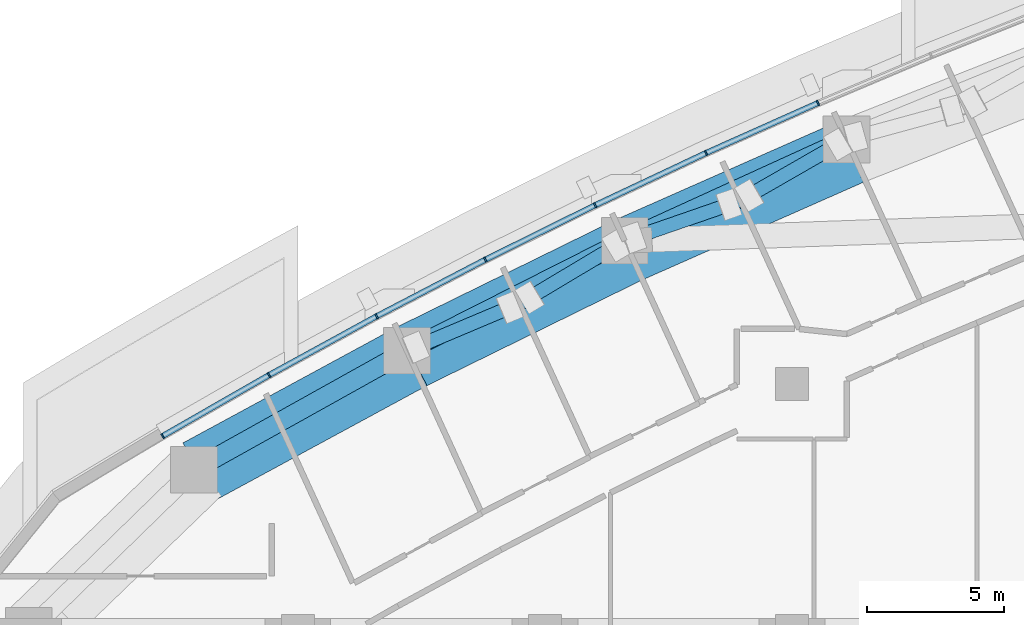
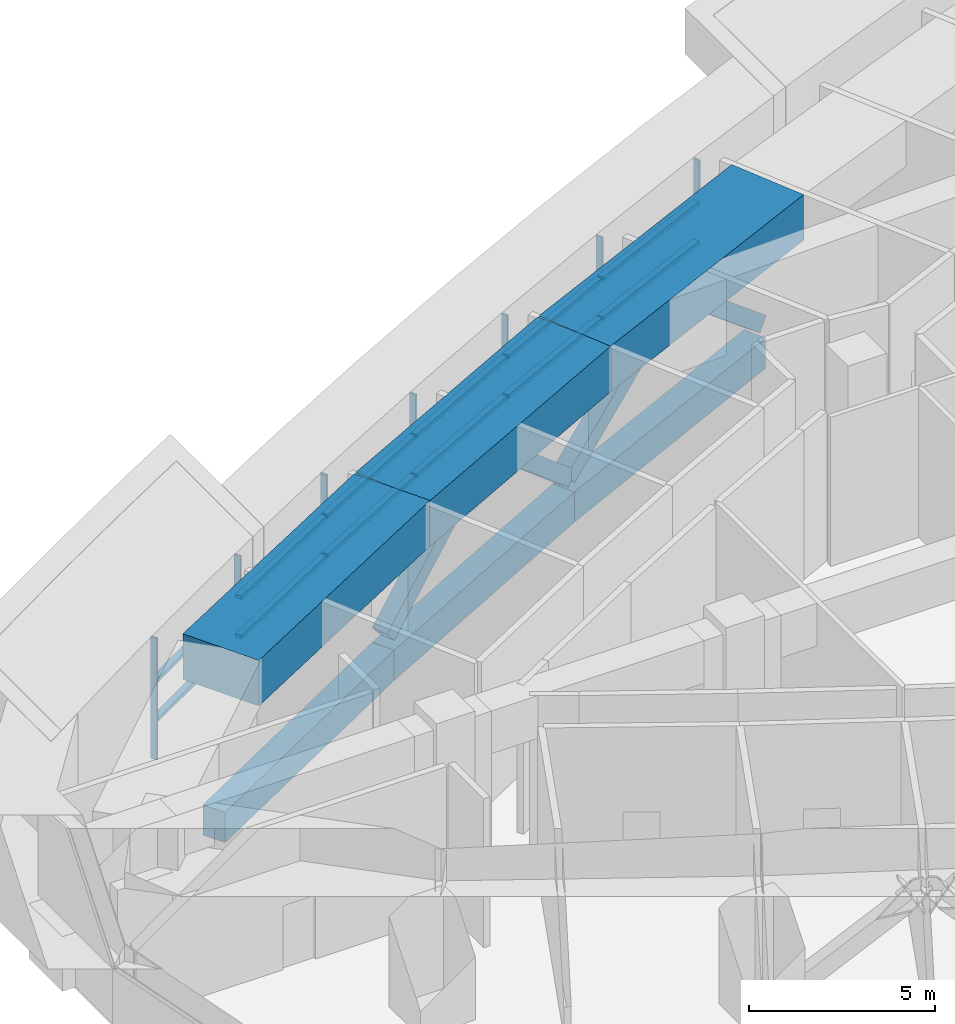
# One storey, part 6 of 19: 23 members, 6 beams, 4 elements without a shape of their own.
"""IFC4 building model written with IfcOpenShell, lengths in metres."""

from ifc_helpers import new_model, si_unit, direction, frame, origin, origin_2d, place, context, subcontext, project, spatial, rectangle, hollow_rectangle, extrude, material, layer, layer_set, material_profile, profile_set, type_object, element, aggregate, save


model = new_model("IFC4")

# Units and contexts
model_context = context("Model", 3, precision=1e-05, world=origin(), true_north=direction((0.0, 1.0)))
body_context = subcontext(model_context, "Body", "Model", "MODEL_VIEW")
ifc_project = project(units=[si_unit("LENGTHUNIT", "METRE"), si_unit("AREAUNIT", "SQUARE_METRE"), si_unit("VOLUMEUNIT", "CUBIC_METRE"), si_unit("PLANEANGLEUNIT", "RADIAN"), si_unit("MASSUNIT", "GRAM", prefix="KILO")], contexts=[model_context])

# Site, building, storey
site_placement = place(None, origin())
site = spatial("IfcSite", under=ifc_project, at=site_placement, CompositionType="ELEMENT")
building_placement = place(site_placement, origin())
building = spatial("IfcBuilding", under=site, at=building_placement, Name="Ostrand Prow Hotel Tower", CompositionType="ELEMENT")
storey_placement = place(building_placement, frame((0.0, 0.0, 120.39990234375)))
storey = spatial("IfcBuildingStorey", under=building, at=storey_placement, Name="L29", CompositionType="ELEMENT", Elevation=120.39990234375)

# Members
ifc_material_1 = material(Name="Steel S355", Category="steel")
ifc_material_profile_1 = material_profile(ifc_material_1, hollow_rectangle(XDim=0.508056640625, YDim=0.508056640625, WallThickness=0.025390625, at=origin_2d()), Name="HSS508x508x25.4")
ifc_profile_set_1 = profile_set([ifc_material_profile_1], Name="Steel S355")
member_type_1 = type_object("IfcMemberType", Name="Belt brace HSS508x508x25.4", PredefinedType="BRACE", material=ifc_profile_set_1)
member_1_placement = place(storey_placement, frame((19.980712890625, 10.20166015625, 0.0), z_axis=(0.705872537209, 0.297482627445, 0.642843719408), x_axis=(-0.38835986097, 0.921507796162, 0.0)))
element("IfcMember", 1, at=member_1_placement, inside=storey, type_object=member_type_1, Name="Belt brace 07", PredefinedType="BRACE", context=body_context, shape_type="SweptSolid", body=[
    extrude(hollow_rectangle(XDim=0.508056640625, YDim=0.508056640625, WallThickness=0.025390625, at=origin_2d()), origin(), (0.0, 0.0, 1.0), 5.83349609375),
])
member_2_placement = place(storey_placement, frame((27.906982421875, 14.212158203125, 0.0), z_axis=(-0.65563967226, -0.391660647807, 0.645552908071), x_axis=(0.512835763629, -0.858486738129, 0.0)))
element("IfcMember", 2, at=member_2_placement, inside=storey, type_object=member_type_1, Name="Belt brace 08", PredefinedType="BRACE", context=body_context, shape_type="SweptSolid", body=[
    extrude(hollow_rectangle(XDim=0.508056640625, YDim=0.508056640625, WallThickness=0.025390625, at=origin_2d()), origin(), (0.0, 0.0, 1.0), 5.80908203125),
])
member_3_placement = place(storey_placement, frame((27.906982421875, 14.212158203125, 0.0), z_axis=(0.72092567592, 0.249777810075, 0.646434231298), x_axis=(-0.327375786306, 0.944894223996, 0.0)))
element("IfcMember", 3, at=member_3_placement, inside=storey, type_object=member_type_1, Name="Belt brace 09", PredefinedType="BRACE", context=body_context, shape_type="SweptSolid", body=[
    extrude(hollow_rectangle(XDim=0.508056640625, YDim=0.508056640625, WallThickness=0.025390625, at=origin_2d()), origin(), (0.0, 0.0, 1.0), 5.801025390625),
])
member_4_placement = place(storey_placement, frame((35.98828125, 17.901611328125, 0.0), z_axis=(-0.665909495339, -0.382634239479, 0.640433901973), x_axis=(0.498213043052, -0.867054648642, 0.0)))
element("IfcMember", 4, at=member_4_placement, inside=storey, type_object=member_type_1, Name="Belt brace 10", PredefinedType="BRACE", context=body_context, shape_type="SweptSolid", body=[
    extrude(hollow_rectangle(XDim=0.508056640625, YDim=0.508056640625, WallThickness=0.025390625, at=origin_2d()), origin(), (0.0, 0.0, 1.0), 5.85546875),
])

# Beams
ifc_material_2 = material(Name="Concrete C80/95", Category="concrete")
ifc_material_profile_2 = material_profile(ifc_material_2, rectangle(XDim=2.39990234375, YDim=1.5, at=origin_2d()), Name="RC 2400x1500")
ifc_profile_set_2 = profile_set([ifc_material_profile_2], Name="Concrete C80/95")
beam_type_1 = type_object("IfcBeamType", Name="Belt girder 2400x1500 C80/95", PredefinedType="BEAM", material=ifc_profile_set_2)
beam_1_placement = place(storey_placement, frame((36.121826171875, 17.442626953125, 4.150146484375), z_axis=(-0.914724924537, -0.404077111986, 0.0), x_axis=(0.404077111986, -0.914724924537, 0.0)))
element("IfcBeam", 5, at=beam_1_placement, inside=storey, type_object=beam_type_1, Name="Belt girder N3-N4", PredefinedType="BEAM", context=body_context, shape_type="SweptSolid", body=[
    extrude(rectangle(XDim=2.39990234375, YDim=1.5, at=origin_2d()), origin(), (0.0, 0.0, 1.0), 8.817626953125),
])
for number, where, z_axis, x_axis, name in (
    (6, (28.05615234375, 13.879638671875, 4.150146484375), (-0.89770862887, -0.440589624995, 0.0), (0.440589624995, -0.89770862887, 0.0), "Belt girder N4-N5"),
    (7, (20.140380859375, 9.99462890625, 4.150146484375), (-0.879253796632, -0.476353609316, 0.0), (0.476353609316, -0.879253796632, 0.0), "Belt girder N5-N6"),
):
    element("IfcBeam", number, at=place(storey_placement, frame(where, z_axis=z_axis, x_axis=x_axis)), inside=storey, type_object=beam_type_1, Name=name, PredefinedType="BEAM", context=body_context, shape_type="SweptSolid", body=[
        extrude(rectangle(XDim=2.39990234375, YDim=1.5, at=origin_2d()), origin(), (0.0, 0.0, 1.0), 8.81787109375),
    ])
ifc_material_3 = material(Name="Concrete C80/95", Category="concrete")
ifc_material_profile_3 = material_profile(ifc_material_3, rectangle(XDim=0.699951171875, YDim=1.0, at=origin_2d()), Name="RC 700x1000")
ifc_profile_set_3 = profile_set([ifc_material_profile_3], Name="Concrete C80/95")
beam_type_2 = type_object("IfcBeamType", Name="Edge beam 700x1000 C80/95", PredefinedType="SPANDREL", material=ifc_profile_set_3)
beam_2_placement = place(storey_placement, frame((35.98828125, 17.901611328125, -0.89990234375), z_axis=(-0.909681006953, -0.415307675813, 0.0), x_axis=(0.415307675813, -0.909681006953, 0.0)))
element("IfcBeam", 8, at=beam_2_placement, inside=storey, type_object=beam_type_2, Name="Edge beam N3-N4", PredefinedType="SPANDREL", context=body_context, shape_type="SweptSolid", body=[
    extrude(rectangle(XDim=0.699951171875, YDim=1.0, at=origin_2d()), origin(), (0.0, 0.0, 1.0), 8.883544921875),
])
beam_3_placement = place(storey_placement, frame((27.906982421875, 14.212158203125, -0.89990234375), z_axis=(-0.892284288592, -0.451473973039, 0.0), x_axis=(0.451473973039, -0.892284288592, 0.0)))
element("IfcBeam", 9, at=beam_3_placement, inside=storey, type_object=beam_type_2, Name="Edge beam N4-N5", PredefinedType="SPANDREL", context=body_context, shape_type="SweptSolid", body=[
    extrude(rectangle(XDim=0.699951171875, YDim=1.0, at=origin_2d()), origin(), (0.0, 0.0, 1.0), 8.883056640625),
])
beam_4_placement = place(storey_placement, frame((19.980712890625, 10.20166015625, -0.89990234375), z_axis=(-0.873452439955, -0.486909473245, 0.0), x_axis=(0.486909473245, -0.873452439955, 0.0)))
element("IfcBeam", 10, at=beam_4_placement, inside=storey, type_object=beam_type_2, Name="Edge beam N5-N6", PredefinedType="SPANDREL", context=body_context, shape_type="SweptSolid", body=[
    extrude(rectangle(XDim=0.699951171875, YDim=1.0, at=origin_2d()), origin(), (0.0, 0.0, 1.0), 8.883544921875),
])

# Curtain wall, member
ifc_material_4 = material(Name="Insulated glass in bronze anodised frame", Category="glass")
ifc_layer = layer(ifc_material_4, 0.199951171875)
ifc_layer_set = layer_set([ifc_layer], Name="Insulated glass in bronze anodised frame")
curtain_wall_type = type_object("IfcCurtainWallType", Name="Plant storey louvre wall", PredefinedType="NOTDEFINED", material=ifc_layer_set)
curtain_wall_1_placement = place(storey_placement, origin())
curtain_wall_1 = element("IfcCurtainWall", 11, at=curtain_wall_1_placement, inside=storey, type_object=curtain_wall_type, Name="CW7 run CWN2", PredefinedType="NOTDEFINED")
ifc_material_5 = material(Name="Bronze anodised aluminium", Category="aluminium")
ifc_material_profile_4 = material_profile(ifc_material_5, rectangle(XDim=0.199951171875, YDim=0.06005859375, at=origin_2d()), Name="Mullion 60x200 bronze anodised aluminium")
ifc_profile_set_4 = profile_set([ifc_material_profile_4], Name="Bronze anodised aluminium")
member_type_2 = type_object("IfcMemberType", Name="Mullion 60x200 bronze anodised aluminium", PredefinedType="MULLION", material=ifc_profile_set_4)
member_5_placement = place(storey_placement, frame((34.95068359375, 19.233154296875, 0.900146484375), z_axis=(0.0, 0.0, 1.0), x_axis=(0.389506566255, -0.921023688536, 0.0)))
member_5 = element("IfcMember", 12, at=member_5_placement, type_object=member_type_2, Name="CW7 mullion 3", PredefinedType="MULLION", context=body_context, shape_type="SweptSolid", body=[
    extrude(rectangle(XDim=0.199951171875, YDim=0.06005859375, at=origin_2d()), origin(), (0.0, 0.0, 1.0), 4.0),
])
aggregate(curtain_wall_1, [member_5])

# Curtain wall, members
curtain_wall_2_placement = place(storey_placement, origin())
curtain_wall_2 = element("IfcCurtainWall", 13, at=curtain_wall_2_placement, inside=storey, type_object=curtain_wall_type, Name="CW7 run CWN3", PredefinedType="NOTDEFINED")
member_6_placement = place(storey_placement, frame((30.872802734375, 17.41162109375, 0.900146484375), z_axis=(0.0, 0.0, 1.0), x_axis=(0.426079320162, -0.904685808958, 0.0)))
member_6 = element("IfcMember", 14, at=member_6_placement, type_object=member_type_2, Name="CW7 mullion 2", PredefinedType="MULLION", context=body_context, shape_type="SweptSolid", body=[
    extrude(rectangle(XDim=0.199951171875, YDim=0.06005859375, at=origin_2d()), origin(), (0.0, 0.0, 1.0), 4.0),
])
member_7_placement = place(storey_placement, frame((26.83251953125, 15.508544921875, 0.900146484375), z_axis=(0.0, 0.0, 1.0), x_axis=(0.426079320162, -0.904685808958, 0.0)))
member_7 = element("IfcMember", 15, at=member_7_placement, type_object=member_type_2, Name="CW7 mullion 3", PredefinedType="MULLION", context=body_context, shape_type="SweptSolid", body=[
    extrude(rectangle(XDim=0.199951171875, YDim=0.06005859375, at=origin_2d()), origin(), (0.0, 0.0, 1.0), 4.0),
])

curtain_wall_3_placement = place(storey_placement, origin())
curtain_wall_3 = element("IfcCurtainWall", 16, at=curtain_wall_3_placement, inside=storey, type_object=curtain_wall_type, Name="CW7 run CWN4", PredefinedType="NOTDEFINED")
member_8_placement = place(storey_placement, frame((22.831298828125, 13.525146484375, 0.900146484375), z_axis=(0.0, 0.0, 1.0), x_axis=(0.461968432937, -0.886896367661, 0.0)))
member_8 = element("IfcMember", 17, at=member_8_placement, type_object=member_type_2, Name="CW7 mullion 2", PredefinedType="MULLION", context=body_context, shape_type="SweptSolid", body=[
    extrude(rectangle(XDim=0.199951171875, YDim=0.06005859375, at=origin_2d()), origin(), (0.0, 0.0, 1.0), 4.0),
])
member_9_placement = place(storey_placement, frame((18.870361328125, 11.4619140625, 0.900146484375), z_axis=(0.0, 0.0, 1.0), x_axis=(0.461968432937, -0.886896367661, 0.0)))
member_9 = element("IfcMember", 18, at=member_9_placement, type_object=member_type_2, Name="CW7 mullion 3", PredefinedType="MULLION", context=body_context, shape_type="SweptSolid", body=[
    extrude(rectangle(XDim=0.199951171875, YDim=0.06005859375, at=origin_2d()), origin(), (0.0, 0.0, 1.0), 4.0),
])

curtain_wall_4_placement = place(storey_placement, origin())
curtain_wall_4 = element("IfcCurtainWall", 19, at=curtain_wall_4_placement, inside=storey, type_object=curtain_wall_type, Name="CW7 run CWN5", PredefinedType="NOTDEFINED")
member_10_placement = place(storey_placement, frame((14.951416015625, 9.320068359375, 0.900146484375), z_axis=(0.0, 0.0, 1.0), x_axis=(0.497114806368, -0.867684775301, 0.0)))
member_10 = element("IfcMember", 20, at=member_10_placement, type_object=member_type_2, Name="CW7 mullion 2", PredefinedType="MULLION", context=body_context, shape_type="SweptSolid", body=[
    extrude(rectangle(XDim=0.199951171875, YDim=0.06005859375, at=origin_2d()), origin(), (0.0, 0.0, 1.0), 4.0),
])
member_11_placement = place(storey_placement, frame((11.076416015625, 7.099853515625, 0.900146484375), z_axis=(0.0, 0.0, 1.0), x_axis=(0.497114806368, -0.867684775301, 0.0)))
member_11 = element("IfcMember", 21, at=member_11_placement, type_object=member_type_2, Name="CW7 mullion 3", PredefinedType="MULLION", context=body_context, shape_type="SweptSolid", body=[
    extrude(rectangle(XDim=0.199951171875, YDim=0.06005859375, at=origin_2d()), origin(), (0.0, 0.0, 1.0), 4.0),
])

# Member
ifc_material_6 = material(Name="Bronze anodised aluminium", Category="aluminium")
ifc_material_profile_5 = material_profile(ifc_material_6, rectangle(XDim=0.199951171875, YDim=0.1201171875, at=origin_2d()), Name="Transom 120x200 bronze anodised aluminium")
ifc_profile_set_5 = profile_set([ifc_material_profile_5], Name="Bronze anodised aluminium")
member_type_3 = type_object("IfcMemberType", Name="Transom 120x200 bronze anodised aluminium", PredefinedType="USERDEFINED", material=ifc_profile_set_5)
member_12_placement = place(storey_placement, frame((34.923095703125, 19.220703125, 2.2001953125), z_axis=(-0.913030665163, -0.407890922271, 0.0), x_axis=(0.407890922271, -0.913030665163, 0.0)))
member_12 = element("IfcMember", 22, at=member_12_placement, type_object=member_type_3, Name="CW7 transom 1.1", ObjectType="TRANSOM", PredefinedType="USERDEFINED", context=body_context, shape_type="SweptSolid", body=[
    extrude(rectangle(XDim=0.199951171875, YDim=0.1201171875, at=origin_2d()), origin(), (0.0, 0.0, 1.0), 4.40576171875),
])

member_13_placement = place(storey_placement, frame((34.923095703125, 19.220703125, 3.5), z_axis=(-0.913030665163, -0.407890922271, 0.0), x_axis=(0.407890922271, -0.913030665163, 0.0)))
member_13 = element("IfcMember", 23, at=member_13_placement, type_object=member_type_3, Name="CW7 transom 1.2", ObjectType="TRANSOM", PredefinedType="USERDEFINED", context=body_context, shape_type="SweptSolid", body=[
    extrude(rectangle(XDim=0.199951171875, YDim=0.1201171875, at=origin_2d()), origin(), (0.0, 0.0, 1.0), 4.40576171875),
])

member_14_placement = place(storey_placement, frame((30.845703125, 17.398681640625, 2.2001953125), z_axis=(-0.904696854963, -0.42605586561, 0.0), x_axis=(0.42605586561, -0.904696854963, 0.0)))
member_14 = element("IfcMember", 24, at=member_14_placement, type_object=member_type_3, Name="CW7 transom 2.1", ObjectType="TRANSOM", PredefinedType="USERDEFINED", context=body_context, shape_type="SweptSolid", body=[
    extrude(rectangle(XDim=0.199951171875, YDim=0.1201171875, at=origin_2d()), origin(), (0.0, 0.0, 1.0), 4.406005859375),
])

member_15_placement = place(storey_placement, frame((30.845703125, 17.398681640625, 3.5), z_axis=(-0.904696854963, -0.42605586561, 0.0), x_axis=(0.42605586561, -0.904696854963, 0.0)))
member_15 = element("IfcMember", 25, at=member_15_placement, type_object=member_type_3, Name="CW7 transom 2.2", ObjectType="TRANSOM", PredefinedType="USERDEFINED", context=body_context, shape_type="SweptSolid", body=[
    extrude(rectangle(XDim=0.199951171875, YDim=0.1201171875, at=origin_2d()), origin(), (0.0, 0.0, 1.0), 4.406005859375),
])

aggregate(curtain_wall_2, [member_6, member_7, member_12, member_13, member_14, member_15])

member_16_placement = place(storey_placement, frame((26.8056640625, 15.495361328125, 2.2001953125), z_axis=(-0.895962348168, -0.444130015497, 0.0), x_axis=(0.444130015497, -0.895962348168, 0.0)))
member_16 = element("IfcMember", 26, at=member_16_placement, type_object=member_type_3, Name="CW7 transom 1.1", ObjectType="TRANSOM", PredefinedType="USERDEFINED", context=body_context, shape_type="SweptSolid", body=[
    extrude(rectangle(XDim=0.199951171875, YDim=0.1201171875, at=origin_2d()), origin(), (0.0, 0.0, 1.0), 4.406005859375),
])

member_17_placement = place(storey_placement, frame((26.8056640625, 15.495361328125, 3.5), z_axis=(-0.895962348168, -0.444130015497, 0.0), x_axis=(0.444130015497, -0.895962348168, 0.0)))
member_17 = element("IfcMember", 27, at=member_17_placement, type_object=member_type_3, Name="CW7 transom 1.2", ObjectType="TRANSOM", PredefinedType="USERDEFINED", context=body_context, shape_type="SweptSolid", body=[
    extrude(rectangle(XDim=0.199951171875, YDim=0.1201171875, at=origin_2d()), origin(), (0.0, 0.0, 1.0), 4.406005859375),
])

member_18_placement = place(storey_placement, frame((22.8046875, 13.51123046875, 2.2001953125), z_axis=(-0.886901787206, -0.461958028235, 0.0), x_axis=(0.461958028235, -0.886901787206, 0.0)))
member_18 = element("IfcMember", 28, at=member_18_placement, type_object=member_type_3, Name="CW7 transom 2.1", ObjectType="TRANSOM", PredefinedType="USERDEFINED", context=body_context, shape_type="SweptSolid", body=[
    extrude(rectangle(XDim=0.199951171875, YDim=0.1201171875, at=origin_2d()), origin(), (0.0, 0.0, 1.0), 4.406005859375),
])

member_19_placement = place(storey_placement, frame((22.8046875, 13.51123046875, 3.5), z_axis=(-0.886901787206, -0.461958028235, 0.0), x_axis=(0.461958028235, -0.886901787206, 0.0)))
member_19 = element("IfcMember", 29, at=member_19_placement, type_object=member_type_3, Name="CW7 transom 2.2", ObjectType="TRANSOM", PredefinedType="USERDEFINED", context=body_context, shape_type="SweptSolid", body=[
    extrude(rectangle(XDim=0.199951171875, YDim=0.1201171875, at=origin_2d()), origin(), (0.0, 0.0, 1.0), 4.406005859375),
])

aggregate(curtain_wall_3, [member_8, member_9, member_16, member_17, member_18, member_19])

member_20_placement = place(storey_placement, frame((18.843994140625, 11.44775390625, 2.2001953125), z_axis=(-0.877471714137, -0.479628388328, 0.0), x_axis=(0.479628388328, -0.877471714137, 0.0)))
member_20 = element("IfcMember", 30, at=member_20_placement, type_object=member_type_3, Name="CW7 transom 1.1", ObjectType="TRANSOM", PredefinedType="USERDEFINED", context=body_context, shape_type="SweptSolid", body=[
    extrude(rectangle(XDim=0.199951171875, YDim=0.1201171875, at=origin_2d()), origin(), (0.0, 0.0, 1.0), 4.406005859375),
])

member_21_placement = place(storey_placement, frame((18.843994140625, 11.44775390625, 3.5), z_axis=(-0.877471714137, -0.479628388328, 0.0), x_axis=(0.479628388328, -0.877471714137, 0.0)))
member_21 = element("IfcMember", 31, at=member_21_placement, type_object=member_type_3, Name="CW7 transom 1.2", ObjectType="TRANSOM", PredefinedType="USERDEFINED", context=body_context, shape_type="SweptSolid", body=[
    extrude(rectangle(XDim=0.199951171875, YDim=0.1201171875, at=origin_2d()), origin(), (0.0, 0.0, 1.0), 4.406005859375),
])

member_22_placement = place(storey_placement, frame((14.925537109375, 9.30517578125, 2.2001953125), z_axis=(-0.86766970623, -0.497141107625, 0.0), x_axis=(0.497141107625, -0.86766970623, 0.0)))
member_22 = element("IfcMember", 32, at=member_22_placement, type_object=member_type_3, Name="CW7 transom 2.1", ObjectType="TRANSOM", PredefinedType="USERDEFINED", context=body_context, shape_type="SweptSolid", body=[
    extrude(rectangle(XDim=0.199951171875, YDim=0.1201171875, at=origin_2d()), origin(), (0.0, 0.0, 1.0), 4.406005859375),
])

member_23_placement = place(storey_placement, frame((14.925537109375, 9.30517578125, 3.5), z_axis=(-0.86766970623, -0.497141107625, 0.0), x_axis=(0.497141107625, -0.86766970623, 0.0)))
member_23 = element("IfcMember", 33, at=member_23_placement, type_object=member_type_3, Name="CW7 transom 2.2", ObjectType="TRANSOM", PredefinedType="USERDEFINED", context=body_context, shape_type="SweptSolid", body=[
    extrude(rectangle(XDim=0.199951171875, YDim=0.1201171875, at=origin_2d()), origin(), (0.0, 0.0, 1.0), 4.406005859375),
])

aggregate(curtain_wall_4, [member_10, member_11, member_20, member_21, member_22, member_23])

save(model, "model.ifc")
